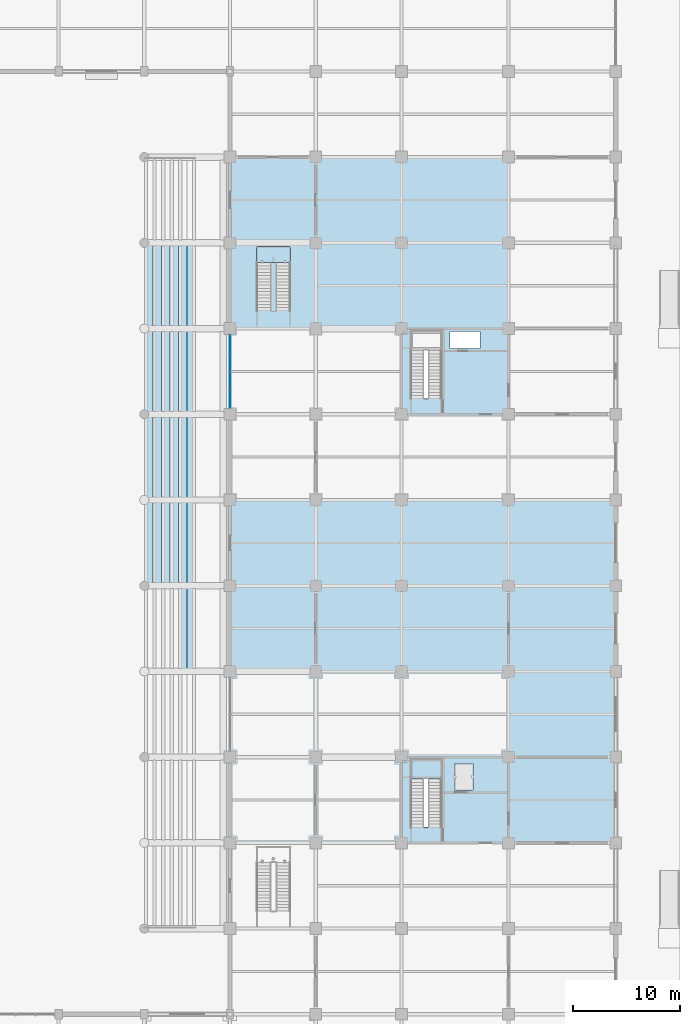
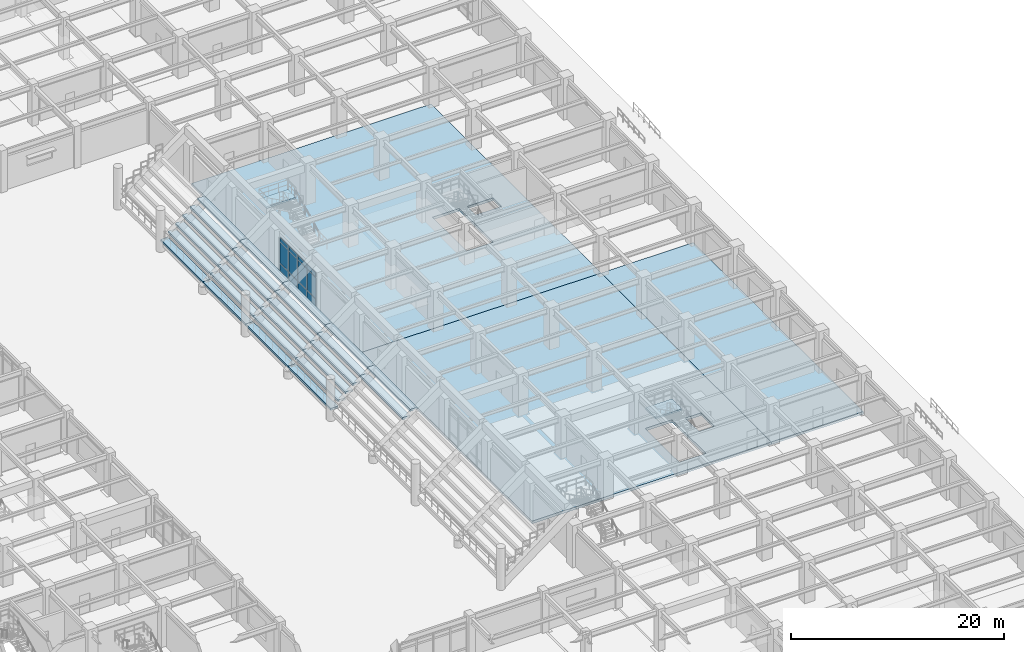
# One storey, part 66 of 125: 31 slabs, 12 plates, 3 elements without a shape of their own.
"""IFC4 building model written with IfcOpenShell, lengths in metres."""

from ifc_helpers import new_model, si_unit, direction, frame, origin, origin_2d, place, context, subcontext, project, spatial, polyline, rectangle, outline, extrude, material, layer, layer_set, type_object, element, aggregate, save


model = new_model("IFC4")

# Units and contexts
model_context = context("Model", 3, precision=1e-05, world=origin(), true_north=direction((0.0, 1.0)))
body_context = subcontext(model_context, "Body", "Model", "MODEL_VIEW")
ifc_project = project(units=[si_unit("LENGTHUNIT", "METRE"), si_unit("AREAUNIT", "SQUARE_METRE"), si_unit("VOLUMEUNIT", "CUBIC_METRE"), si_unit("PLANEANGLEUNIT", "RADIAN"), si_unit("MASSUNIT", "GRAM", prefix="KILO")], contexts=[model_context])

# Site, building, storey
site_placement = place(None, origin())
site = spatial("IfcSite", under=ifc_project, at=site_placement, CompositionType="ELEMENT")
building_placement = place(site_placement, origin())
building = spatial("IfcBuilding", under=site, at=building_placement, Name="Haebicheon Civic Stadium", CompositionType="ELEMENT")
storey_placement = place(building_placement, origin())
storey = spatial("IfcBuildingStorey", under=building, at=storey_placement, Name="L01", CompositionType="ELEMENT", Elevation=0.0)

# Curtain wall, plates
ifc_material_1 = material(Name="Anodised aluminium and laminated glass", Category="aluminium")
ifc_layer_1 = layer(ifc_material_1, 0.179931640625, Name="Anodised aluminium and laminated glass")
ifc_layer_set_1 = layer_set([ifc_layer_1], Name="Anodised aluminium and laminated glass")
curtain_wall_type = type_object("IfcCurtainWallType", Name="CW-6900x3910", PredefinedType="NOTDEFINED", material=ifc_layer_set_1)
curtain_wall_placement = place(storey_placement, origin())
curtain_wall = element("IfcCurtainWall", 1, at=curtain_wall_placement, inside=storey, type_object=curtain_wall_type, material=ifc_layer_set_1, Name="L01 unitised curtain wall 026", PredefinedType="NOTDEFINED")
ifc_material_2 = material(Name="Double low-e laminated glass", Category="glass")
ifc_layer_2 = layer(ifc_material_2, 0.028076171875, Name="Double low-e laminated glass")
ifc_layer_set_2 = layer_set([ifc_layer_2], Name="Double low-e laminated glass")
plate_type_1 = type_object("IfcPlateType", Name="CWP-GLZ-28", PredefinedType="CURTAIN_PANEL", material=ifc_layer_set_2)
plate_1_placement = place(storey_placement, frame((200.0, 105.431884765625, 0.93994140625), z_axis=(0.0, 0.0, 1.0), x_axis=(0.0, 1.0, 0.0)))
plate_1 = element("IfcPlate", 2, at=plate_1_placement, type_object=plate_type_1, material=ifc_layer_set_2, Name="CW-L01-026 vision panel 1.2", PredefinedType="CURTAIN_PANEL", context=body_context, shape_type="SweptSolid", body=[
    extrude(rectangle(XDim=1.60498046875, YDim=0.028076171875, at=origin_2d()), origin(), (0.0, 0.0, 1.0), 2.3798828125),
])
plate_2_placement = place(storey_placement, frame((200.0, 107.137939453125, 0.93994140625), z_axis=(0.0, 0.0, 1.0), x_axis=(0.0, 1.0, 0.0)))
plate_2 = element("IfcPlate", 3, at=plate_2_placement, type_object=plate_type_1, material=ifc_layer_set_2, Name="CW-L01-026 vision panel 2.2", PredefinedType="CURTAIN_PANEL", context=body_context, shape_type="SweptSolid", body=[
    extrude(rectangle(XDim=1.64501953125, YDim=0.028076171875, at=origin_2d()), origin(), (0.0, 0.0, 1.0), 2.3798828125),
])
plate_3_placement = place(storey_placement, frame((200.0, 108.862060546875, 0.93994140625), z_axis=(0.0, 0.0, 1.0), x_axis=(0.0, 1.0, 0.0)))
plate_3 = element("IfcPlate", 4, at=plate_3_placement, type_object=plate_type_1, material=ifc_layer_set_2, Name="CW-L01-026 vision panel 3.2", PredefinedType="CURTAIN_PANEL", context=body_context, shape_type="SweptSolid", body=[
    extrude(rectangle(XDim=1.64501953125, YDim=0.028076171875, at=origin_2d()), origin(), (0.0, 0.0, 1.0), 2.3798828125),
])
plate_4_placement = place(storey_placement, frame((200.0, 110.568115234375, 0.93994140625), z_axis=(0.0, 0.0, 1.0), x_axis=(0.0, 1.0, 0.0)))
plate_4 = element("IfcPlate", 5, at=plate_4_placement, type_object=plate_type_1, material=ifc_layer_set_2, Name="CW-L01-026 vision panel 4.2", PredefinedType="CURTAIN_PANEL", context=body_context, shape_type="SweptSolid", body=[
    extrude(rectangle(XDim=1.60498046875, YDim=0.028076171875, at=origin_2d()), origin(), (0.0, 0.0, 1.0), 2.3798828125),
])
ifc_material_3 = material(Name="Anodised aluminium 6063-T6", Category="aluminium")
ifc_layer_3 = layer(ifc_material_3, 0.0439453125, Name="Anodised aluminium 6063-T6")
ifc_layer_set_3 = layer_set([ifc_layer_3], Name="Anodised aluminium 6063-T6")
plate_type_2 = type_object("IfcPlateType", Name="CWP-SPD-44", PredefinedType="CURTAIN_PANEL", material=ifc_layer_set_3)
plate_5_placement = place(storey_placement, frame((200.0, 105.431884765625, 0.0400390625), z_axis=(0.0, 0.0, 1.0), x_axis=(0.0, 1.0, 0.0)))
plate_5 = element("IfcPlate", 6, at=plate_5_placement, type_object=plate_type_2, material=ifc_layer_set_3, Name="CW-L01-026 spandrel panel 1.1", PredefinedType="CURTAIN_PANEL", context=body_context, shape_type="SweptSolid", body=[
    extrude(rectangle(XDim=1.60498046875, YDim=0.0439453125, at=origin_2d()), origin(), (0.0, 0.0, 1.0), 0.820068359375),
])
plate_6_placement = place(storey_placement, frame((200.0, 105.431884765625, 3.39990234375), z_axis=(0.0, 0.0, 1.0), x_axis=(0.0, 1.0, 0.0)))
plate_6 = element("IfcPlate", 7, at=plate_6_placement, type_object=plate_type_2, material=ifc_layer_set_3, Name="CW-L01-026 spandrel panel 1.3", PredefinedType="CURTAIN_PANEL", context=body_context, shape_type="SweptSolid", body=[
    extrude(rectangle(XDim=1.60498046875, YDim=0.0439453125, at=origin_2d()), origin(), (0.0, 0.0, 1.0), 0.469970703125),
])
plate_7_placement = place(storey_placement, frame((200.0, 107.137939453125, 0.0400390625), z_axis=(0.0, 0.0, 1.0), x_axis=(0.0, 1.0, 0.0)))
plate_7 = element("IfcPlate", 8, at=plate_7_placement, type_object=plate_type_2, material=ifc_layer_set_3, Name="CW-L01-026 spandrel panel 2.1", PredefinedType="CURTAIN_PANEL", context=body_context, shape_type="SweptSolid", body=[
    extrude(rectangle(XDim=1.64501953125, YDim=0.0439453125, at=origin_2d()), origin(), (0.0, 0.0, 1.0), 0.820068359375),
])
plate_8_placement = place(storey_placement, frame((200.0, 107.137939453125, 3.39990234375), z_axis=(0.0, 0.0, 1.0), x_axis=(0.0, 1.0, 0.0)))
plate_8 = element("IfcPlate", 9, at=plate_8_placement, type_object=plate_type_2, material=ifc_layer_set_3, Name="CW-L01-026 spandrel panel 2.3", PredefinedType="CURTAIN_PANEL", context=body_context, shape_type="SweptSolid", body=[
    extrude(rectangle(XDim=1.64501953125, YDim=0.0439453125, at=origin_2d()), origin(), (0.0, 0.0, 1.0), 0.469970703125),
])
plate_9_placement = place(storey_placement, frame((200.0, 108.862060546875, 0.0400390625), z_axis=(0.0, 0.0, 1.0), x_axis=(0.0, 1.0, 0.0)))
plate_9 = element("IfcPlate", 10, at=plate_9_placement, type_object=plate_type_2, material=ifc_layer_set_3, Name="CW-L01-026 spandrel panel 3.1", PredefinedType="CURTAIN_PANEL", context=body_context, shape_type="SweptSolid", body=[
    extrude(rectangle(XDim=1.64501953125, YDim=0.0439453125, at=origin_2d()), origin(), (0.0, 0.0, 1.0), 0.820068359375),
])
plate_10_placement = place(storey_placement, frame((200.0, 108.862060546875, 3.39990234375), z_axis=(0.0, 0.0, 1.0), x_axis=(0.0, 1.0, 0.0)))
plate_10 = element("IfcPlate", 11, at=plate_10_placement, type_object=plate_type_2, material=ifc_layer_set_3, Name="CW-L01-026 spandrel panel 3.3", PredefinedType="CURTAIN_PANEL", context=body_context, shape_type="SweptSolid", body=[
    extrude(rectangle(XDim=1.64501953125, YDim=0.0439453125, at=origin_2d()), origin(), (0.0, 0.0, 1.0), 0.469970703125),
])
plate_11_placement = place(storey_placement, frame((200.0, 110.568115234375, 0.0400390625), z_axis=(0.0, 0.0, 1.0), x_axis=(0.0, 1.0, 0.0)))
plate_11 = element("IfcPlate", 12, at=plate_11_placement, type_object=plate_type_2, material=ifc_layer_set_3, Name="CW-L01-026 spandrel panel 4.1", PredefinedType="CURTAIN_PANEL", context=body_context, shape_type="SweptSolid", body=[
    extrude(rectangle(XDim=1.60498046875, YDim=0.0439453125, at=origin_2d()), origin(), (0.0, 0.0, 1.0), 0.820068359375),
])
plate_12_placement = place(storey_placement, frame((200.0, 110.568115234375, 3.39990234375), z_axis=(0.0, 0.0, 1.0), x_axis=(0.0, 1.0, 0.0)))
plate_12 = element("IfcPlate", 13, at=plate_12_placement, type_object=plate_type_2, material=ifc_layer_set_3, Name="CW-L01-026 spandrel panel 4.3", PredefinedType="CURTAIN_PANEL", context=body_context, shape_type="SweptSolid", body=[
    extrude(rectangle(XDim=1.60498046875, YDim=0.0439453125, at=origin_2d()), origin(), (0.0, 0.0, 1.0), 0.469970703125),
])
aggregate(curtain_wall, [plate_5, plate_1, plate_6, plate_7, plate_2, plate_8, plate_9, plate_3, plate_10, plate_11, plate_4, plate_12])

# Slabs
ifc_material_4 = material(Name="Concrete C40/50", Category="concrete")
ifc_layer_4 = layer(ifc_material_4, 0.300048828125, Name="Concrete C40/50")
ifc_layer_set_4 = layer_set([ifc_layer_4], Name="Concrete C40/50")
slab_type_1 = type_object("IfcSlabType", Name="SLB-FLR-300", PredefinedType="FLOOR", material=ifc_layer_set_4)
slab_1_placement = place(storey_placement, frame((0.0, 0.0, -0.300048828125)))
element("IfcSlab", 14, at=slab_1_placement, inside=storey, type_object=slab_type_1, material=ifc_layer_set_4, Name="L01 V3 structural slab 3.1", PredefinedType="FLOOR", context=body_context, shape_type="SweptSolid", body=[
    extrude(outline(polyline([(200.0, 80.0), (200.0, 88.0), (200.0, 96.0), (208.0, 96.0), (216.0, 96.0), (226.0, 96.0), (226.0, 88.0), (226.0, 80.0), (226.0, 72.0), (226.0, 64.0), (216.0, 64.0), (208.0, 64.0), (200.0, 64.0), (200.0, 72.0), (200.0, 80.0)]), holes=[polyline([(216.840087890625, 65.4599609375), (219.739990234375, 65.4599609375), (219.739990234375, 71.840087890625), (216.840087890625, 71.840087890625), (216.840087890625, 65.4599609375)]), polyline([(220.969970703125, 68.929931640625), (222.669921875, 68.929931640625), (222.669921875, 71.429931640625), (220.969970703125, 71.429931640625), (220.969970703125, 68.929931640625)])]), origin(), (0.0, 0.0, 1.0), 0.300048828125),
])
slab_2_placement = place(storey_placement, frame((0.0, 0.0, -0.300048828125)))
element("IfcSlab", 15, at=slab_2_placement, inside=storey, type_object=slab_type_1, material=ifc_layer_set_4, Name="L01 V3 structural slab 4.1", PredefinedType="FLOOR", context=body_context, shape_type="SweptSolid", body=[
    extrude(outline(polyline([(200.0, 112.0), (200.0, 120.0), (200.0, 128.0), (208.0, 128.0), (216.0, 128.0), (226.0, 128.0), (226.0, 120.0), (226.0, 112.0), (226.0, 104.0), (226.0, 96.0), (216.0, 96.0), (208.0, 96.0), (200.0, 96.0), (200.0, 104.0), (200.0, 112.0)]), holes=[polyline([(216.840087890625, 105.4599609375), (219.739990234375, 105.4599609375), (219.739990234375, 111.840087890625), (216.840087890625, 111.840087890625), (216.840087890625, 105.4599609375)]), polyline([(220.550048828125, 110.14990234375), (223.35009765625, 110.14990234375), (223.35009765625, 111.75), (220.550048828125, 111.75), (220.550048828125, 110.14990234375)])]), origin(), (0.0, 0.0, 1.0), 0.300048828125),
])
slab_3_placement = place(storey_placement, frame((0.0, 0.0, -0.300048828125)))
element("IfcSlab", 16, at=slab_3_placement, inside=storey, type_object=slab_type_1, material=ifc_layer_set_4, Name="L01 V3 structural slab 8.1", PredefinedType="FLOOR", context=body_context, shape_type="SweptSolid", body=[
    extrude(outline(polyline([(226.0, 64.0), (226.0, 72.0), (226.0, 80.0), (226.0, 88.0), (226.0, 96.0), (236.0, 96.0), (236.0, 88.0), (236.0, 80.0), (236.0, 72.0), (236.0, 64.0), (226.0, 64.0)])), origin(), (0.0, 0.0, 1.0), 0.300048828125),
])

# Stair, slab
ifc_material_5 = material(Name="Concrete C40/50", Category="concrete")
stair_type_1 = type_object("IfcStairType", Name="STR-DL-W128-H48", PredefinedType="HALF_TURN_STAIR", material=ifc_material_5)
stair_1_placement = place(storey_placement, origin())
stair_1 = element("IfcStair", 17, at=stair_1_placement, inside=storey, type_object=stair_type_1, material=ifc_material_5, Name="L01 Escape stair ST-12", PredefinedType="HALF_TURN_STAIR")
ifc_material_6 = material(Name="Concrete C40/50", Category="concrete")
ifc_layer_5 = layer(ifc_material_6, 0.199951171875, Name="Concrete C40/50")
ifc_layer_set_5 = layer_set([ifc_layer_5], Name="Concrete C40/50")
slab_type_2 = type_object("IfcSlabType", Name="SLB-LND-200", PredefinedType="LANDING", material=ifc_layer_set_5)
slab_4_placement = place(storey_placement, frame((0.0, 0.0, 2.199951171875)))
slab_4 = element("IfcSlab", 18, at=slab_4_placement, type_object=slab_type_2, material=ifc_layer_set_5, Name="ST-12 landing 1", PredefinedType="LANDING", context=body_context, shape_type="SweptSolid", body=[
    extrude(outline(polyline([(219.739990234375, 69.949951171875), (219.739990234375, 71.840087890625), (216.840087890625, 71.840087890625), (216.840087890625, 69.949951171875), (219.739990234375, 69.949951171875)])), origin(), (0.0, 0.0, 1.0), 0.199951171875),
])
aggregate(stair_1, [slab_4])

ifc_material_7 = material(Name="Concrete C40/50", Category="concrete")
stair_type_2 = type_object("IfcStairType", Name="STR-DL-W140-H48", PredefinedType="HALF_TURN_STAIR", material=ifc_material_7)
stair_2_placement = place(storey_placement, origin())
stair_2 = element("IfcStair", 19, at=stair_2_placement, inside=storey, type_object=stair_type_2, material=ifc_material_7, Name="Vomitory stair VM-12 (L01)", PredefinedType="HALF_TURN_STAIR")
slab_5_placement = place(storey_placement, frame((0.0, 0.0, 2.199951171875)))
slab_5 = element("IfcSlab", 20, at=slab_5_placement, type_object=slab_type_2, material=ifc_layer_set_5, Name="VM-12 landing 1", PredefinedType="LANDING", context=body_context, shape_type="SweptSolid", body=[
    extrude(outline(polyline([(205.639892578125, 118.14990234375), (205.639892578125, 119.64990234375), (202.4599609375, 119.64990234375), (202.4599609375, 118.14990234375), (205.639892578125, 118.14990234375)])), origin(), (0.0, 0.0, 1.0), 0.199951171875),
])
aggregate(stair_2, [slab_5])

# Slabs
ifc_material_8 = material(Name="Precast concrete C40/50", Category="concrete")
ifc_layer_6 = layer(ifc_material_8, 0.239990234375, Name="Precast concrete C40/50")
ifc_layer_set_6 = layer_set([ifc_layer_6], Name="Precast concrete C40/50")
slab_type_3 = type_object("IfcSlabType", Name="SLB-TIER-240", PredefinedType="USERDEFINED", material=ifc_layer_set_6)
slab_6_placement = place(storey_placement, frame((0.0, 0.0, 3.626953125)))
element("IfcSlab", 21, at=slab_6_placement, inside=storey, type_object=slab_type_3, material=ifc_layer_set_6, Name="TIER-C-L precast seating tier bay 4 row-band 5", ObjectType="SEATING TIER", PredefinedType="USERDEFINED", context=body_context, shape_type="SweptSolid", body=[
    extrude(outline(polyline([(195.199951171875, 80.0), (196.0, 80.0), (196.0, 88.0), (195.199951171875, 88.0), (195.199951171875, 80.0)])), origin(), (0.0, 0.0, 1.0), 0.239990234375),
])
slab_7_placement = place(storey_placement, frame((0.0, 0.0, 4.29296875)))
element("IfcSlab", 22, at=slab_7_placement, inside=storey, type_object=slab_type_3, material=ifc_layer_set_6, Name="TIER-C-L precast seating tier bay 4 row-band 6", ObjectType="SEATING TIER", PredefinedType="USERDEFINED", context=body_context, shape_type="SweptSolid", body=[
    extrude(outline(polyline([(196.0, 80.0), (196.800048828125, 80.0), (196.800048828125, 88.0), (196.0, 88.0), (196.0, 80.0)])), origin(), (0.0, 0.0, 1.0), 0.239990234375),
])
slab_8_placement = place(storey_placement, frame((0.0, 0.0, 0.9599609375)))
element("IfcSlab", 23, at=slab_8_placement, inside=storey, type_object=slab_type_3, material=ifc_layer_set_6, Name="TIER-C-L precast seating tier bay 5 row-band 1", ObjectType="SEATING TIER", PredefinedType="USERDEFINED", context=body_context, shape_type="SweptSolid", body=[
    extrude(outline(polyline([(192.0, 88.0), (192.800048828125, 88.0), (192.800048828125, 96.0), (192.0, 96.0), (192.0, 88.0)])), origin(), (0.0, 0.0, 1.0), 0.239990234375),
])
slab_9_placement = place(storey_placement, frame((0.0, 0.0, 1.626953125)))
element("IfcSlab", 24, at=slab_9_placement, inside=storey, type_object=slab_type_3, material=ifc_layer_set_6, Name="TIER-C-L precast seating tier bay 5 row-band 2", ObjectType="SEATING TIER", PredefinedType="USERDEFINED", context=body_context, shape_type="SweptSolid", body=[
    extrude(outline(polyline([(192.800048828125, 88.0), (193.60009765625, 88.0), (193.60009765625, 96.0), (192.800048828125, 96.0), (192.800048828125, 88.0)])), origin(), (0.0, 0.0, 1.0), 0.239990234375),
])
slab_10_placement = place(storey_placement, frame((0.0, 0.0, 2.29296875)))
element("IfcSlab", 25, at=slab_10_placement, inside=storey, type_object=slab_type_3, material=ifc_layer_set_6, Name="TIER-C-L precast seating tier bay 5 row-band 3", ObjectType="SEATING TIER", PredefinedType="USERDEFINED", context=body_context, shape_type="SweptSolid", body=[
    extrude(outline(polyline([(193.60009765625, 88.0), (194.39990234375, 88.0), (194.39990234375, 96.0), (193.60009765625, 96.0), (193.60009765625, 88.0)])), origin(), (0.0, 0.0, 1.0), 0.239990234375),
])
slab_11_placement = place(storey_placement, frame((0.0, 0.0, 2.9599609375)))
element("IfcSlab", 26, at=slab_11_placement, inside=storey, type_object=slab_type_3, material=ifc_layer_set_6, Name="TIER-C-L precast seating tier bay 5 row-band 4", ObjectType="SEATING TIER", PredefinedType="USERDEFINED", context=body_context, shape_type="SweptSolid", body=[
    extrude(outline(polyline([(194.39990234375, 88.0), (195.199951171875, 88.0), (195.199951171875, 96.0), (194.39990234375, 96.0), (194.39990234375, 88.0)])), origin(), (0.0, 0.0, 1.0), 0.239990234375),
])
slab_12_placement = place(storey_placement, frame((0.0, 0.0, 3.626953125)))
element("IfcSlab", 27, at=slab_12_placement, inside=storey, type_object=slab_type_3, material=ifc_layer_set_6, Name="TIER-C-L precast seating tier bay 5 row-band 5", ObjectType="SEATING TIER", PredefinedType="USERDEFINED", context=body_context, shape_type="SweptSolid", body=[
    extrude(outline(polyline([(195.199951171875, 88.0), (196.0, 88.0), (196.0, 96.0), (195.199951171875, 96.0), (195.199951171875, 88.0)])), origin(), (0.0, 0.0, 1.0), 0.239990234375),
])
slab_13_placement = place(storey_placement, frame((0.0, 0.0, 4.29296875)))
element("IfcSlab", 28, at=slab_13_placement, inside=storey, type_object=slab_type_3, material=ifc_layer_set_6, Name="TIER-C-L precast seating tier bay 5 row-band 6", ObjectType="SEATING TIER", PredefinedType="USERDEFINED", context=body_context, shape_type="SweptSolid", body=[
    extrude(outline(polyline([(196.0, 88.0), (196.800048828125, 88.0), (196.800048828125, 96.0), (196.0, 96.0), (196.0, 88.0)])), origin(), (0.0, 0.0, 1.0), 0.239990234375),
])
slab_14_placement = place(storey_placement, frame((0.0, 0.0, 0.9599609375)))
element("IfcSlab", 29, at=slab_14_placement, inside=storey, type_object=slab_type_3, material=ifc_layer_set_6, Name="TIER-C-L precast seating tier bay 6 row-band 1", ObjectType="SEATING TIER", PredefinedType="USERDEFINED", context=body_context, shape_type="SweptSolid", body=[
    extrude(outline(polyline([(192.0, 96.0), (192.800048828125, 96.0), (192.800048828125, 104.0), (192.0, 104.0), (192.0, 96.0)])), origin(), (0.0, 0.0, 1.0), 0.239990234375),
])
slab_15_placement = place(storey_placement, frame((0.0, 0.0, 1.626953125)))
element("IfcSlab", 30, at=slab_15_placement, inside=storey, type_object=slab_type_3, material=ifc_layer_set_6, Name="TIER-C-L precast seating tier bay 6 row-band 2", ObjectType="SEATING TIER", PredefinedType="USERDEFINED", context=body_context, shape_type="SweptSolid", body=[
    extrude(outline(polyline([(192.800048828125, 96.0), (193.60009765625, 96.0), (193.60009765625, 104.0), (192.800048828125, 104.0), (192.800048828125, 96.0)])), origin(), (0.0, 0.0, 1.0), 0.239990234375),
])
slab_16_placement = place(storey_placement, frame((0.0, 0.0, 2.29296875)))
element("IfcSlab", 31, at=slab_16_placement, inside=storey, type_object=slab_type_3, material=ifc_layer_set_6, Name="TIER-C-L precast seating tier bay 6 row-band 3", ObjectType="SEATING TIER", PredefinedType="USERDEFINED", context=body_context, shape_type="SweptSolid", body=[
    extrude(outline(polyline([(193.60009765625, 96.0), (194.39990234375, 96.0), (194.39990234375, 104.0), (193.60009765625, 104.0), (193.60009765625, 96.0)])), origin(), (0.0, 0.0, 1.0), 0.239990234375),
])
slab_17_placement = place(storey_placement, frame((0.0, 0.0, 2.9599609375)))
element("IfcSlab", 32, at=slab_17_placement, inside=storey, type_object=slab_type_3, material=ifc_layer_set_6, Name="TIER-C-L precast seating tier bay 6 row-band 4", ObjectType="SEATING TIER", PredefinedType="USERDEFINED", context=body_context, shape_type="SweptSolid", body=[
    extrude(outline(polyline([(194.39990234375, 96.0), (195.199951171875, 96.0), (195.199951171875, 104.0), (194.39990234375, 104.0), (194.39990234375, 96.0)])), origin(), (0.0, 0.0, 1.0), 0.239990234375),
])
slab_18_placement = place(storey_placement, frame((0.0, 0.0, 3.626953125)))
element("IfcSlab", 33, at=slab_18_placement, inside=storey, type_object=slab_type_3, material=ifc_layer_set_6, Name="TIER-C-L precast seating tier bay 6 row-band 5", ObjectType="SEATING TIER", PredefinedType="USERDEFINED", context=body_context, shape_type="SweptSolid", body=[
    extrude(outline(polyline([(195.199951171875, 96.0), (196.0, 96.0), (196.0, 104.0), (195.199951171875, 104.0), (195.199951171875, 96.0)])), origin(), (0.0, 0.0, 1.0), 0.239990234375),
])
slab_19_placement = place(storey_placement, frame((0.0, 0.0, 4.29296875)))
element("IfcSlab", 34, at=slab_19_placement, inside=storey, type_object=slab_type_3, material=ifc_layer_set_6, Name="TIER-C-L precast seating tier bay 6 row-band 6", ObjectType="SEATING TIER", PredefinedType="USERDEFINED", context=body_context, shape_type="SweptSolid", body=[
    extrude(outline(polyline([(196.0, 96.0), (196.800048828125, 96.0), (196.800048828125, 104.0), (196.0, 104.0), (196.0, 96.0)])), origin(), (0.0, 0.0, 1.0), 0.239990234375),
])
slab_20_placement = place(storey_placement, frame((0.0, 0.0, 0.9599609375)))
element("IfcSlab", 35, at=slab_20_placement, inside=storey, type_object=slab_type_3, material=ifc_layer_set_6, Name="TIER-C-L precast seating tier bay 7 row-band 1", ObjectType="SEATING TIER", PredefinedType="USERDEFINED", context=body_context, shape_type="SweptSolid", body=[
    extrude(outline(polyline([(192.0, 104.0), (192.800048828125, 104.0), (192.800048828125, 112.0), (192.0, 112.0), (192.0, 104.0)])), origin(), (0.0, 0.0, 1.0), 0.239990234375),
])
slab_21_placement = place(storey_placement, frame((0.0, 0.0, 1.626953125)))
element("IfcSlab", 36, at=slab_21_placement, inside=storey, type_object=slab_type_3, material=ifc_layer_set_6, Name="TIER-C-L precast seating tier bay 7 row-band 2", ObjectType="SEATING TIER", PredefinedType="USERDEFINED", context=body_context, shape_type="SweptSolid", body=[
    extrude(outline(polyline([(192.800048828125, 104.0), (193.60009765625, 104.0), (193.60009765625, 112.0), (192.800048828125, 112.0), (192.800048828125, 104.0)])), origin(), (0.0, 0.0, 1.0), 0.239990234375),
])
slab_22_placement = place(storey_placement, frame((0.0, 0.0, 2.29296875)))
element("IfcSlab", 37, at=slab_22_placement, inside=storey, type_object=slab_type_3, material=ifc_layer_set_6, Name="TIER-C-L precast seating tier bay 7 row-band 3", ObjectType="SEATING TIER", PredefinedType="USERDEFINED", context=body_context, shape_type="SweptSolid", body=[
    extrude(outline(polyline([(193.60009765625, 104.0), (194.39990234375, 104.0), (194.39990234375, 112.0), (193.60009765625, 112.0), (193.60009765625, 104.0)])), origin(), (0.0, 0.0, 1.0), 0.239990234375),
])
slab_23_placement = place(storey_placement, frame((0.0, 0.0, 2.9599609375)))
element("IfcSlab", 38, at=slab_23_placement, inside=storey, type_object=slab_type_3, material=ifc_layer_set_6, Name="TIER-C-L precast seating tier bay 7 row-band 4", ObjectType="SEATING TIER", PredefinedType="USERDEFINED", context=body_context, shape_type="SweptSolid", body=[
    extrude(outline(polyline([(194.39990234375, 104.0), (195.199951171875, 104.0), (195.199951171875, 112.0), (194.39990234375, 112.0), (194.39990234375, 104.0)])), origin(), (0.0, 0.0, 1.0), 0.239990234375),
])
slab_24_placement = place(storey_placement, frame((0.0, 0.0, 3.626953125)))
element("IfcSlab", 39, at=slab_24_placement, inside=storey, type_object=slab_type_3, material=ifc_layer_set_6, Name="TIER-C-L precast seating tier bay 7 row-band 5", ObjectType="SEATING TIER", PredefinedType="USERDEFINED", context=body_context, shape_type="SweptSolid", body=[
    extrude(outline(polyline([(195.199951171875, 104.0), (196.0, 104.0), (196.0, 112.0), (195.199951171875, 112.0), (195.199951171875, 104.0)])), origin(), (0.0, 0.0, 1.0), 0.239990234375),
])
slab_25_placement = place(storey_placement, frame((0.0, 0.0, 4.29296875)))
element("IfcSlab", 40, at=slab_25_placement, inside=storey, type_object=slab_type_3, material=ifc_layer_set_6, Name="TIER-C-L precast seating tier bay 7 row-band 6", ObjectType="SEATING TIER", PredefinedType="USERDEFINED", context=body_context, shape_type="SweptSolid", body=[
    extrude(outline(polyline([(196.0, 104.0), (196.800048828125, 104.0), (196.800048828125, 112.0), (196.0, 112.0), (196.0, 104.0)])), origin(), (0.0, 0.0, 1.0), 0.239990234375),
])
slab_26_placement = place(storey_placement, frame((0.0, 0.0, 0.9599609375)))
element("IfcSlab", 41, at=slab_26_placement, inside=storey, type_object=slab_type_3, material=ifc_layer_set_6, Name="TIER-C-L precast seating tier bay 8 row-band 1", ObjectType="SEATING TIER", PredefinedType="USERDEFINED", context=body_context, shape_type="SweptSolid", body=[
    extrude(outline(polyline([(192.0, 112.0), (192.800048828125, 112.0), (192.800048828125, 120.0), (192.0, 120.0), (192.0, 112.0)])), origin(), (0.0, 0.0, 1.0), 0.239990234375),
])
slab_27_placement = place(storey_placement, frame((0.0, 0.0, 1.626953125)))
element("IfcSlab", 42, at=slab_27_placement, inside=storey, type_object=slab_type_3, material=ifc_layer_set_6, Name="TIER-C-L precast seating tier bay 8 row-band 2", ObjectType="SEATING TIER", PredefinedType="USERDEFINED", context=body_context, shape_type="SweptSolid", body=[
    extrude(outline(polyline([(192.800048828125, 112.0), (193.60009765625, 112.0), (193.60009765625, 120.0), (192.800048828125, 120.0), (192.800048828125, 112.0)])), origin(), (0.0, 0.0, 1.0), 0.239990234375),
])
slab_28_placement = place(storey_placement, frame((0.0, 0.0, 2.29296875)))
element("IfcSlab", 43, at=slab_28_placement, inside=storey, type_object=slab_type_3, material=ifc_layer_set_6, Name="TIER-C-L precast seating tier bay 8 row-band 3", ObjectType="SEATING TIER", PredefinedType="USERDEFINED", context=body_context, shape_type="SweptSolid", body=[
    extrude(outline(polyline([(193.60009765625, 112.0), (194.39990234375, 112.0), (194.39990234375, 120.0), (193.60009765625, 120.0), (193.60009765625, 112.0)])), origin(), (0.0, 0.0, 1.0), 0.239990234375),
])
slab_29_placement = place(storey_placement, frame((0.0, 0.0, 2.9599609375)))
element("IfcSlab", 44, at=slab_29_placement, inside=storey, type_object=slab_type_3, material=ifc_layer_set_6, Name="TIER-C-L precast seating tier bay 8 row-band 4", ObjectType="SEATING TIER", PredefinedType="USERDEFINED", context=body_context, shape_type="SweptSolid", body=[
    extrude(outline(polyline([(194.39990234375, 112.0), (195.199951171875, 112.0), (195.199951171875, 120.0), (194.39990234375, 120.0), (194.39990234375, 112.0)])), origin(), (0.0, 0.0, 1.0), 0.239990234375),
])
slab_30_placement = place(storey_placement, frame((0.0, 0.0, 3.626953125)))
element("IfcSlab", 45, at=slab_30_placement, inside=storey, type_object=slab_type_3, material=ifc_layer_set_6, Name="TIER-C-L precast seating tier bay 8 row-band 5", ObjectType="SEATING TIER", PredefinedType="USERDEFINED", context=body_context, shape_type="SweptSolid", body=[
    extrude(outline(polyline([(195.199951171875, 112.0), (196.0, 112.0), (196.0, 120.0), (195.199951171875, 120.0), (195.199951171875, 112.0)])), origin(), (0.0, 0.0, 1.0), 0.239990234375),
])
slab_31_placement = place(storey_placement, frame((0.0, 0.0, 4.29296875)))
element("IfcSlab", 46, at=slab_31_placement, inside=storey, type_object=slab_type_3, material=ifc_layer_set_6, Name="TIER-C-L precast seating tier bay 8 row-band 6", ObjectType="SEATING TIER", PredefinedType="USERDEFINED", context=body_context, shape_type="SweptSolid", body=[
    extrude(outline(polyline([(196.0, 112.0), (196.800048828125, 112.0), (196.800048828125, 120.0), (196.0, 120.0), (196.0, 112.0)])), origin(), (0.0, 0.0, 1.0), 0.239990234375),
])

save(model, "model.ifc")
